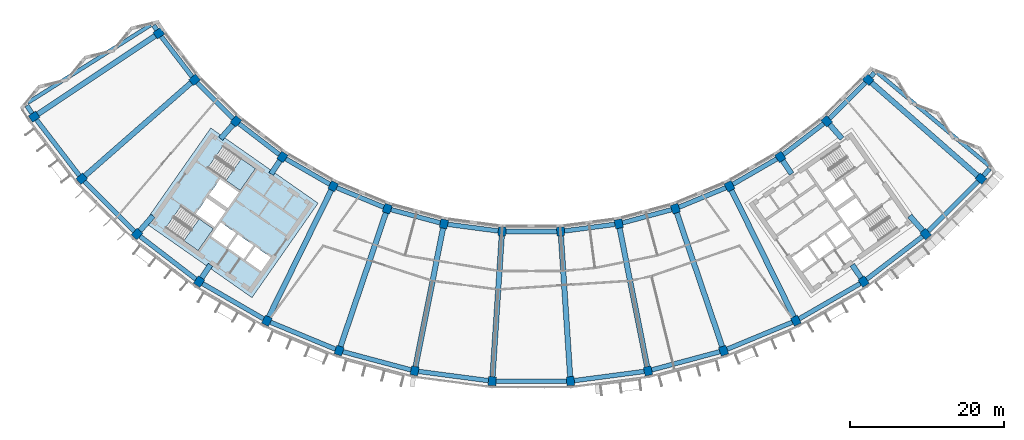
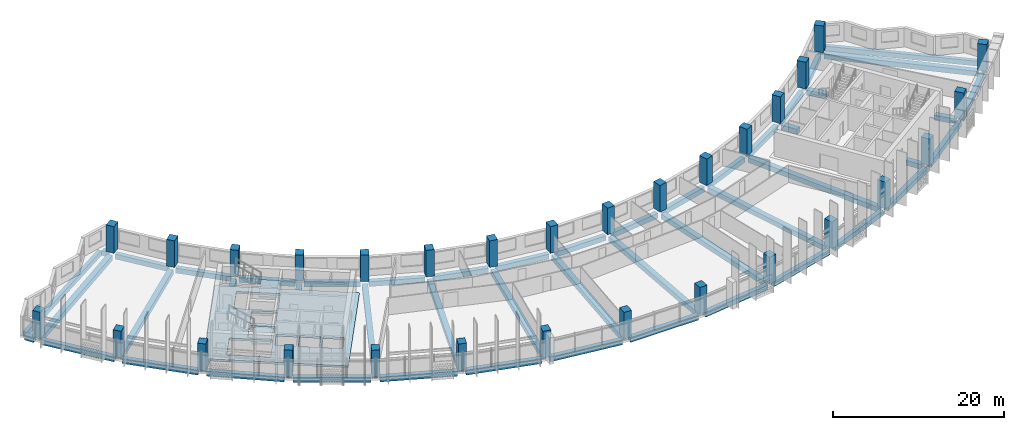
# One storey, part 1 of 27: 53 beams, 30 columns, 3 slabs, 2 elements without a shape of their own.
"""IFC4 building model written with IfcOpenShell, lengths in metres."""

from ifc_helpers import new_model, si_unit, direction, frame, origin, origin_2d, place, context, subcontext, project, spatial, polyline, rectangle, outline, extrude, material, layer, layer_set, material_profile, profile_set, type_object, element, aggregate, save


model = new_model("IFC4")

# Units and contexts
model_context = context("Model", 3, precision=1e-05, world=origin(), true_north=direction((0.0, 1.0)))
body_context = subcontext(model_context, "Body", "Model", "MODEL_VIEW")
ifc_project = project(units=[si_unit("LENGTHUNIT", "METRE"), si_unit("AREAUNIT", "SQUARE_METRE"), si_unit("VOLUMEUNIT", "CUBIC_METRE"), si_unit("PLANEANGLEUNIT", "RADIAN"), si_unit("MASSUNIT", "GRAM", prefix="KILO")], contexts=[model_context])

# Site, building, storey
site_placement = place(None, origin())
site = spatial("IfcSite", under=ifc_project, at=site_placement, CompositionType="ELEMENT")
building_placement = place(site_placement, origin())
building = spatial("IfcBuilding", under=site, at=building_placement, Name="Qamariyya Broadcast Tower", CompositionType="ELEMENT")
storey_placement = place(building_placement, frame((0.0, 0.0, 211.300048828125)))
storey = spatial("IfcBuildingStorey", under=building, at=storey_placement, Name="L50", CompositionType="ELEMENT", Elevation=211.300048828125)

# Columns
ifc_material_1 = material(Name="Concrete C60/75", Category="concrete")
ifc_material_profile_1 = material_profile(ifc_material_1, rectangle(XDim=1.0, YDim=1.14990234375, at=origin_2d()))
ifc_profile_set_1 = profile_set([ifc_material_profile_1], Name="Concrete C60/75")
column_type = type_object("IfcColumnType", Name="RC column 1000 x 1150 C60/75", PredefinedType="COLUMN", material=ifc_profile_set_1)
for number, where, z_axis, x_axis, name in (
    (1, (-48.43310546875, -32.362060546875, 0.0), (0.0, 0.0, 1.0), (0.55557023302, -0.831469612303, 0.0), "Column C11 L50 B-R03"),
    (2, (-64.646728515625, -43.195556640625, 0.0), (0.0, 0.0, 1.0), (0.55557023302, -0.831469612303, 0.0), "Column C11 L50 C-R03"),
    (3, (-43.794677734375, -38.406982421875, 0.0), (0.0, 0.0, 1.0), (0.6593458151, -0.751839807479, 0.0), "Column C11 L50 B-R04"),
    (4, (-58.45556640625, -51.26416015625, 0.0), (0.0, 0.0, 1.0), (0.6593458151, -0.751839807479, 0.0), "Column C11 L50 C-R04"),
    (5, (-38.406982421875, -43.794677734375, 0.0), (0.0, 0.0, 1.0), (0.751839807479, -0.6593458151, 0.0), "Column C11 L50 B-R05"),
    (6, (-51.26416015625, -58.45556640625, 0.0), (0.0, 0.0, 1.0), (0.751839807479, -0.6593458151, 0.0), "Column C11 L50 C-R05"),
    (7, (-32.362060546875, -48.43310546875, 0.0), (0.0, 0.0, 1.0), (0.831469612303, -0.55557023302, 0.0), "Column C11 L50 B-R06"),
    (8, (-43.195556640625, -64.646728515625, 0.0), (0.0, 0.0, 1.0), (0.831469612303, -0.55557023302, 0.0), "Column C11 L50 C-R06"),
    (9, (-25.763427734375, -52.242919921875, 0.0), (0.0, 0.0, 1.0), (0.896872741533, -0.442288690219, 0.0), "Column C11 L50 B-R07"),
    (10, (-34.387939453125, -69.73193359375, 0.0), (0.0, 0.0, 1.0), (0.896872741533, -0.442288690219, 0.0), "Column C11 L50 C-R07"),
    (11, (-18.723876953125, -55.15869140625, 0.0), (0.0, 0.0, 1.0), (0.946930129495, -0.321439465303, 0.0), "Column C11 L50 B-R08"),
    (12, (-24.991943359375, -73.623779296875, 0.0), (0.0, 0.0, 1.0), (0.946930129495, -0.321439465303, 0.0), "Column C11 L50 C-R08"),
    (13, (-11.364013671875, -57.130859375, 0.0), (0.0, 0.0, 1.0), (0.980785280403, -0.195090322016, 0.0), "Column C11 L50 B-R09"),
    (14, (-15.168212890625, -76.256103515625, 0.0), (0.0, 0.0, 1.0), (0.980785280403, -0.195090322016, 0.0), "Column C11 L50 C-R09"),
    (15, (-3.809814453125, -58.125244140625, 0.0), (0.0, 0.0, 1.0), (0.997858923239, -0.06540312923, 0.0), "Column C11 L50 B-R10"),
    (16, (-5.085205078125, -77.58349609375, 0.0), (0.0, 0.0, 1.0), (0.997858923239, -0.06540312923, 0.0), "Column C11 L50 C-R10"),
    (17, (3.809814453125, -58.125244140625, 0.0), (0.0, 0.0, 1.0), (0.997858923239, 0.06540312923, 0.0), "Column C11 L50 B-R11"),
    (18, (5.085205078125, -77.58349609375, 0.0), (0.0, 0.0, 1.0), (0.997858923239, 0.06540312923, 0.0), "Column C11 L50 C-R11"),
    (19, (11.364013671875, -57.130859375, 0.0), (0.0, 0.0, 1.0), (0.980785280403, 0.195090322016, 0.0), "Column C11 L50 B-R12"),
    (20, (15.168212890625, -76.256103515625, 0.0), (0.0, 0.0, 1.0), (0.980785280403, 0.195090322016, 0.0), "Column C11 L50 C-R12"),
    (21, (18.723876953125, -55.15869140625, 0.0), (0.0, 0.0, 1.0), (0.946930129495, 0.321439465303, 0.0), "Column C11 L50 B-R13"),
    (22, (24.991943359375, -73.623779296875, 0.0), (0.0, 0.0, 1.0), (0.946930129495, 0.321439465303, 0.0), "Column C11 L50 C-R13"),
    (23, (25.763427734375, -52.242919921875, 0.0), (0.0, 0.0, 1.0), (0.896872741533, 0.442288690219, 0.0), "Column C11 L50 B-R14"),
    (24, (34.387939453125, -69.73193359375, 0.0), (0.0, 0.0, 1.0), (0.896872741533, 0.442288690219, 0.0), "Column C11 L50 C-R14"),
    (25, (32.362060546875, -48.43310546875, 0.0), (0.0, 0.0, 1.0), (0.831469612303, 0.55557023302, 0.0), "Column C11 L50 B-R15"),
    (26, (43.195556640625, -64.646728515625, 0.0), (0.0, 0.0, 1.0), (0.831469612303, 0.55557023302, 0.0), "Column C11 L50 C-R15"),
    (27, (38.406982421875, -43.794677734375, 0.0), (0.0, 0.0, 1.0), (0.751839807479, 0.6593458151, 0.0), "Column C11 L50 B-R16"),
    (28, (51.26416015625, -58.45556640625, 0.0), (0.0, 0.0, 1.0), (0.751839807479, 0.6593458151, 0.0), "Column C11 L50 C-R16"),
    (29, (43.794677734375, -38.406982421875, 0.0), (0.0, 0.0, 1.0), (0.6593458151, 0.751839807479, 0.0), "Column C11 L50 B-R17"),
    (30, (58.45556640625, -51.26416015625, 0.0), (0.0, 0.0, 1.0), (0.6593458151, 0.751839807479, 0.0), "Column C11 L50 C-R17"),
):
    element("IfcColumn", number, at=place(storey_placement, frame(where, z_axis=z_axis, x_axis=x_axis)), inside=storey, type_object=column_type, Name=name, PredefinedType="COLUMN", context=body_context, shape_type="SweptSolid", body=[
        extrude(rectangle(XDim=1.0, YDim=1.14990234375, at=origin_2d()), origin(), (0.0, 0.0, 1.0), 3.800048828125),
    ])

# Beams
ifc_material_2 = material(Name="Concrete C40/50", Category="concrete")
ifc_material_profile_2 = material_profile(ifc_material_2, rectangle(XDim=0.60009765625, YDim=0.699951171875, at=origin_2d()))
ifc_profile_set_2 = profile_set([ifc_material_profile_2], Name="Concrete C40/50")
beam_type_1 = type_object("IfcBeamType", Name="RC edge beam 600 x 700 C40/50", PredefinedType="SPANDREL", material=ifc_profile_set_2)
for number, where, z_axis, x_axis, name in (
    (31, (-48.128173828125, -32.759521484375, -0.650146484375), (0.608788546151, -0.79333253184, 0.0), (0.79333253184, 0.608788546151, 0.0), "Edge beam B20 L50 B R03-R04"),
    (32, (-43.4404296875, -38.76123046875, -0.650146484375), (0.707106781187, -0.707106781187, 0.0), (0.707106781187, 0.707106781187, 0.0), "Edge beam B20 L50 B R04-R05"),
    (33, (-38.00927734375, -44.099609375, -0.650146484375), (0.79333253184, -0.608788546151, 0.0), (0.608788546151, 0.79333253184, 0.0), "Edge beam B20 L50 B R05-R06"),
):
    element("IfcBeam", number, at=place(storey_placement, frame(where, z_axis=z_axis, x_axis=x_axis)), inside=storey, type_object=beam_type_1, Name=name, PredefinedType="SPANDREL", context=body_context, shape_type="SweptSolid", body=[
        extrude(rectangle(XDim=0.60009765625, YDim=0.699951171875, at=origin_2d()), origin(), (0.0, 0.0, 1.0), 6.617431640625),
    ])
for number, where, z_axis, x_axis, name in (
    (34, (-31.927978515625, -48.68359375, -0.650146484375), (0.866027686223, -0.499996046679, 0.0), (0.499996046679, 0.866027686223, 0.0), "Edge beam B20 L50 B R06-R07"),
    (35, (-25.30029296875, -52.4345703125, -0.650146484375), (0.923870685948, -0.382704789159, 0.0), (0.382704789159, 0.923870685948, 0.0), "Edge beam B20 L50 B R07-R08"),
):
    element("IfcBeam", number, at=place(storey_placement, frame(where, z_axis=z_axis, x_axis=x_axis)), inside=storey, type_object=beam_type_1, Name=name, PredefinedType="SPANDREL", context=body_context, shape_type="SweptSolid", body=[
        extrude(rectangle(XDim=0.60009765625, YDim=0.699951171875, at=origin_2d()), origin(), (0.0, 0.0, 1.0), 6.6171875),
    ])
for number, where, z_axis, x_axis, name in (
    (36, (-18.23974609375, -55.288330078125, -0.650146484375), (0.965927466282, -0.258812924486, 0.0), (0.258812924486, 0.965927466282, 0.0), "Edge beam B20 L50 B R08-R09"),
    (37, (-10.8671875, -57.196044921875, -0.650146484375), (0.991444372314, -0.130529906942, 0.0), (0.130529906942, 0.991444372314, 0.0), "Edge beam B20 L50 B R09-R10"),
):
    element("IfcBeam", number, at=place(storey_placement, frame(where, z_axis=z_axis, x_axis=x_axis)), inside=storey, type_object=beam_type_1, Name=name, PredefinedType="SPANDREL", context=body_context, shape_type="SweptSolid", body=[
        extrude(rectangle(XDim=0.60009765625, YDim=0.699951171875, at=origin_2d()), origin(), (0.0, 0.0, 1.0), 6.617431640625),
    ])
beam_1_placement = place(storey_placement, frame((-3.30859375, -58.125244140625, -0.650146484375), z_axis=(1.0, 0.0, 0.0), x_axis=(0.0, 1.0, 0.0)))
element("IfcBeam", 38, at=beam_1_placement, inside=storey, type_object=beam_type_1, Name="Edge beam B20 L50 B R10-R11", PredefinedType="SPANDREL", context=body_context, shape_type="SweptSolid", body=[
    extrude(rectangle(XDim=0.60009765625, YDim=0.699951171875, at=origin_2d()), origin(), (0.0, 0.0, 1.0), 6.6171875),
])
for number, where, z_axis, x_axis, name in (
    (39, (4.306396484375, -58.059814453125, -0.650146484375), (0.991444372314, 0.130529906942, 0.0), (-0.130529906942, 0.991444372314, 0.0), "Edge beam B20 L50 B R11-R12"),
    (40, (11.847900390625, -57.0009765625, -0.650146484375), (0.965927466282, 0.258812924486, 0.0), (-0.258812924486, 0.965927466282, 0.0), "Edge beam B20 L50 B R12-R13"),
):
    element("IfcBeam", number, at=place(storey_placement, frame(where, z_axis=z_axis, x_axis=x_axis)), inside=storey, type_object=beam_type_1, Name=name, PredefinedType="SPANDREL", context=body_context, shape_type="SweptSolid", body=[
        extrude(rectangle(XDim=0.60009765625, YDim=0.699951171875, at=origin_2d()), origin(), (0.0, 0.0, 1.0), 6.617431640625),
    ])
for number, where, z_axis, x_axis, name in (
    (41, (19.186767578125, -54.967041015625, -0.650146484375), (0.923870685948, 0.382704789159, 0.0), (-0.382704789159, 0.923870685948, 0.0), "Edge beam B20 L50 B R13-R14"),
    (42, (26.197265625, -51.9921875, -0.650146484375), (0.866027686223, 0.499996046679, 0.0), (-0.499996046679, 0.866027686223, 0.0), "Edge beam B20 L50 B R14-R15"),
):
    element("IfcBeam", number, at=place(storey_placement, frame(where, z_axis=z_axis, x_axis=x_axis)), inside=storey, type_object=beam_type_1, Name=name, PredefinedType="SPANDREL", context=body_context, shape_type="SweptSolid", body=[
        extrude(rectangle(XDim=0.60009765625, YDim=0.699951171875, at=origin_2d()), origin(), (0.0, 0.0, 1.0), 6.6171875),
    ])
for number, where, z_axis, x_axis, name in (
    (43, (32.759521484375, -48.128173828125, -0.650146484375), (0.79333253184, 0.608788546151, 0.0), (-0.608788546151, 0.79333253184, 0.0), "Edge beam B20 L50 B R15-R16"),
    (44, (38.76123046875, -43.4404296875, -0.650146484375), (0.707106781187, 0.707106781187, 0.0), (-0.707106781187, 0.707106781187, 0.0), "Edge beam B20 L50 B R16-R17"),
):
    element("IfcBeam", number, at=place(storey_placement, frame(where, z_axis=z_axis, x_axis=x_axis)), inside=storey, type_object=beam_type_1, Name=name, PredefinedType="SPANDREL", context=body_context, shape_type="SweptSolid", body=[
        extrude(rectangle(XDim=0.60009765625, YDim=0.699951171875, at=origin_2d()), origin(), (0.0, 0.0, 1.0), 6.617431640625),
    ])
for number, where, z_axis, x_axis, name in (
    (45, (-64.341796875, -43.593017578125, -0.650146484375), (0.608761882331, -0.793352992445, 0.0), (0.793352992445, 0.608761882331, 0.0), "Edge beam B20 L50 C R03-R04"),
    (46, (-58.101318359375, -51.618408203125, -0.650146484375), (0.707106781187, -0.707106781187, 0.0), (0.707106781187, 0.707106781187, 0.0), "Edge beam B20 L50 C R04-R05"),
    (47, (-50.86669921875, -58.760498046875, -0.650146484375), (0.793352992445, -0.608761882331, 0.0), (0.608761882331, 0.793352992445, 0.0), "Edge beam B20 L50 C R05-R06"),
    (48, (-42.76171875, -64.897216796875, -0.650146484375), (0.866032154434, -0.49998830735, 0.0), (0.49998830735, 0.866032154434, 0.0), "Edge beam B20 L50 C R06-R07"),
    (49, (-33.925048828125, -69.923583984375, -0.650146484375), (0.923876946533, -0.382689675409, 0.0), (0.382689675409, 0.923876946533, 0.0), "Edge beam B20 L50 C R07-R08"),
):
    element("IfcBeam", number, at=place(storey_placement, frame(where, z_axis=z_axis, x_axis=x_axis)), inside=storey, type_object=beam_type_1, Name=name, PredefinedType="SPANDREL", context=body_context, shape_type="SweptSolid", body=[
        extrude(rectangle(XDim=0.60009765625, YDim=0.699951171875, at=origin_2d()), origin(), (0.0, 0.0, 1.0), 9.168212890625),
    ])
for number, where, z_axis, x_axis, name in (
    (50, (-24.5078125, -73.75341796875, -0.650146484375), (0.965919522093, -0.258842571536, 0.0), (0.258842571536, 0.965919522093, 0.0), "Edge beam B20 L50 C R08-R09"),
    (51, (-14.67138671875, -76.321533203125, -0.650146484375), (0.991446770895, -0.130511687147, 0.0), (0.130511687147, 0.991446770895, 0.0), "Edge beam B20 L50 C R09-R10"),
    (52, (-4.583984375, -77.58349609375, -0.650146484375), (1.0, 0.0, 0.0), (0.0, 1.0, 0.0), "Edge beam B20 L50 C R10-R11"),
    (53, (5.581787109375, -77.51806640625, -0.650146484375), (0.991446770895, 0.130511687147, 0.0), (-0.130511687147, 0.991446770895, 0.0), "Edge beam B20 L50 C R11-R12"),
    (54, (15.65234375, -76.12646484375, -0.650146484375), (0.965919522093, 0.258842571536, 0.0), (-0.258842571536, 0.965919522093, 0.0), "Edge beam B20 L50 C R12-R13"),
):
    element("IfcBeam", number, at=place(storey_placement, frame(where, z_axis=z_axis, x_axis=x_axis)), inside=storey, type_object=beam_type_1, Name=name, PredefinedType="SPANDREL", context=body_context, shape_type="SweptSolid", body=[
        extrude(rectangle(XDim=0.60009765625, YDim=0.699951171875, at=origin_2d()), origin(), (0.0, 0.0, 1.0), 9.16796875),
    ])
for number, where, z_axis, x_axis, name in (
    (55, (25.454833984375, -73.43212890625, -0.650146484375), (0.923876946533, 0.382689675409, 0.0), (-0.382689675409, 0.923876946533, 0.0), "Edge beam B20 L50 C R13-R14"),
    (56, (34.82177734375, -69.481201171875, -0.650146484375), (0.866032154434, 0.49998830735, 0.0), (-0.49998830735, 0.866032154434, 0.0), "Edge beam B20 L50 C R14-R15"),
    (57, (43.593017578125, -64.341796875, -0.650146484375), (0.793352992445, 0.608761882331, 0.0), (-0.608761882331, 0.793352992445, 0.0), "Edge beam B20 L50 C R15-R16"),
    (58, (51.618408203125, -58.101318359375, -0.650146484375), (0.707106781187, 0.707106781187, 0.0), (-0.707106781187, 0.707106781187, 0.0), "Edge beam B20 L50 C R16-R17"),
):
    element("IfcBeam", number, at=place(storey_placement, frame(where, z_axis=z_axis, x_axis=x_axis)), inside=storey, type_object=beam_type_1, Name=name, PredefinedType="SPANDREL", context=body_context, shape_type="SweptSolid", body=[
        extrude(rectangle(XDim=0.60009765625, YDim=0.699951171875, at=origin_2d()), origin(), (0.0, 0.0, 1.0), 9.168212890625),
    ])
ifc_material_profile_3 = material_profile(ifc_material_2, rectangle(XDim=0.60009765625, YDim=0.699951171875, at=origin_2d()))
ifc_profile_set_3 = profile_set([ifc_material_profile_3], Name="Concrete C40/50")
beam_type_2 = type_object("IfcBeamType", Name="RC horn beam 600 x 700 C40/50", PredefinedType="BEAM", material=ifc_profile_set_3)
beam_2_placement = place(storey_placement, frame((-48.70556640625, -31.942626953125, -0.650146484375), z_axis=(-0.545130013682, 0.838351518269, 0.0), x_axis=(-0.838351518269, -0.545130013682, 0.0)))
element("IfcBeam", 59, at=beam_2_placement, inside=storey, type_object=beam_type_2, Name="Horn beam B19 L50 W B-R03", PredefinedType="BEAM", context=body_context, shape_type="SweptSolid", body=[
    extrude(rectangle(XDim=0.60009765625, YDim=0.699951171875, at=origin_2d()), origin(), (0.0, 0.0, 1.0), 0.726806640625),
])
beam_3_placement = place(storey_placement, frame((-64.919189453125, -42.7763671875, -0.650146484375), z_axis=(-0.545114816016, 0.838361400209, 0.0), x_axis=(-0.838361400209, -0.545114816016, 0.0)))
element("IfcBeam", 60, at=beam_3_placement, inside=storey, type_object=beam_type_2, Name="Horn beam B19 L50 W C-R03", PredefinedType="BEAM", context=body_context, shape_type="SweptSolid", body=[
    extrude(rectangle(XDim=0.60009765625, YDim=0.699951171875, at=origin_2d()), origin(), (0.0, 0.0, 1.0), 1.221435546875),
])
beam_4_placement = place(storey_placement, frame((44.11962890625, -38.02685546875, -0.650146484375), z_axis=(0.649684097017, 0.760204297596, 0.0), x_axis=(-0.760204297596, 0.649684097017, 0.0)))
element("IfcBeam", 61, at=beam_4_placement, inside=storey, type_object=beam_type_2, Name="Horn beam B19 L50 E B-R17", PredefinedType="BEAM", context=body_context, shape_type="SweptSolid", body=[
    extrude(rectangle(XDim=0.60009765625, YDim=0.699951171875, at=origin_2d()), origin(), (0.0, 0.0, 1.0), 0.726806640625),
])
beam_5_placement = place(storey_placement, frame((58.780517578125, -50.884033203125, -0.650146484375), z_axis=(0.649671232602, 0.760215291565, 0.0), x_axis=(-0.760215291565, 0.649671232602, 0.0)))
element("IfcBeam", 62, at=beam_5_placement, inside=storey, type_object=beam_type_2, Name="Horn beam B19 L50 E C-R17", PredefinedType="BEAM", context=body_context, shape_type="SweptSolid", body=[
    extrude(rectangle(XDim=0.60009765625, YDim=0.699951171875, at=origin_2d()), origin(), (0.0, 0.0, 1.0), 1.221435546875),
])
ifc_material_profile_4 = material_profile(ifc_material_2, rectangle(XDim=0.5, YDim=0.699951171875, at=origin_2d()))
ifc_profile_set_4 = profile_set([ifc_material_profile_4], Name="Concrete C40/50")
beam_type_3 = type_object("IfcBeamType", Name="RC horn cap beam 500 x 700 C40/50", PredefinedType="BEAM", material=ifc_profile_set_4)
for number, where, z_axis, x_axis, name in (
    (63, (-49.49169921875, -31.283935546875, -0.650146484375), (-0.845288403382, -0.534310317238, 0.0), (0.534310317238, -0.845288403382, 0.0), "Horn cap beam B21 L50 W B-C"),
    (64, (44.98486328125, -37.476318359375, -0.650146484375), (0.768310212712, -0.640077664852, 0.0), (0.640077664852, 0.768310212712, 0.0), "Horn cap beam B21 L50 E B-C"),
):
    element("IfcBeam", number, at=place(storey_placement, frame(where, z_axis=z_axis, x_axis=x_axis)), inside=storey, type_object=beam_type_3, Name=name, PredefinedType="BEAM", context=body_context, shape_type="SweptSolid", body=[
        extrude(rectangle(XDim=0.5, YDim=0.699951171875, at=origin_2d()), origin(), (0.0, 0.0, 1.0), 18.89990234375),
    ])
ifc_material_profile_5 = material_profile(ifc_material_2, rectangle(XDim=0.699951171875, YDim=0.699951171875, at=origin_2d()))
ifc_profile_set_5 = profile_set([ifc_material_profile_5], Name="Concrete C40/50")
beam_type_4 = type_object("IfcBeamType", Name="RC radial beam 700 x 700 C40/50", PredefinedType="BEAM", material=ifc_profile_set_5)
beam_6_placement = place(storey_placement, frame((-48.9111328125, -32.681396484375, -0.650146484375), z_axis=(-0.831468530479, -0.55557185208, 0.0), x_axis=(0.55557185208, -0.831468530479, 0.0)))
element("IfcBeam", 65, at=beam_6_placement, inside=storey, type_object=beam_type_4, Name="Radial beam B18 L50 R03 B-C", PredefinedType="BEAM", context=body_context, shape_type="SweptSolid", body=[
    extrude(rectangle(XDim=0.699951171875, YDim=0.699951171875, at=origin_2d()), origin(), (0.0, 0.0, 1.0), 18.35009765625),
])
beam_7_placement = place(storey_placement, frame((-44.22705078125, -38.7861328125, -0.650146484375), z_axis=(-0.751840222646, -0.659345341692, 0.0), x_axis=(0.659345341692, -0.751840222646, 0.0)))
element("IfcBeam", 66, at=beam_7_placement, inside=storey, type_object=beam_type_4, Name="Radial beam B18 L50 R04 B-C", PredefinedType="BEAM", context=body_context, shape_type="SweptSolid", body=[
    extrude(rectangle(XDim=0.699951171875, YDim=0.699951171875, at=origin_2d()), origin(), (0.0, 0.0, 1.0), 18.349853515625),
])
beam_8_placement = place(storey_placement, frame((-38.7861328125, -44.22705078125, -0.650146484375), z_axis=(-0.659347500472, -0.751838329444, 0.0), x_axis=(0.751838329444, -0.659347500472, 0.0)))
element("IfcBeam", 67, at=beam_8_placement, inside=storey, type_object=beam_type_4, Name="Radial beam B18 L50 R05 B-C", PredefinedType="BEAM", context=body_context, shape_type="SweptSolid", body=[
    extrude(rectangle(XDim=0.699951171875, YDim=0.699951171875, at=origin_2d()), origin(), (0.0, 0.0, 1.0), 2.43896484375),
])
beam_9_placement = place(storey_placement, frame((-49.1943359375, -56.095458984375, -0.650146484375), z_axis=(-0.65936701245, -0.751821217373, 0.0), x_axis=(0.751821217373, -0.65936701245, 0.0)))
element("IfcBeam", 68, at=beam_9_placement, inside=storey, type_object=beam_type_4, Name="Radial beam B18 L50 R05 B-C", PredefinedType="BEAM", context=body_context, shape_type="SweptSolid", body=[
    extrude(rectangle(XDim=0.699951171875, YDim=0.699951171875, at=origin_2d()), origin(), (0.0, 0.0, 1.0), 2.56396484375),
])
beam_10_placement = place(storey_placement, frame((-32.681396484375, -48.9111328125, -0.650146484375), z_axis=(-0.555589685374, -0.831456614326, 0.0), x_axis=(0.831456614326, -0.555589685374, 0.0)))
element("IfcBeam", 69, at=beam_10_placement, inside=storey, type_object=beam_type_4, Name="Radial beam B18 L50 R06 B-C", PredefinedType="BEAM", context=body_context, shape_type="SweptSolid", body=[
    extrude(rectangle(XDim=0.699951171875, YDim=0.699951171875, at=origin_2d()), origin(), (0.0, 0.0, 1.0), 2.08935546875),
])
beam_11_placement = place(storey_placement, frame((-41.733154296875, -62.458251953125, -0.650146484375), z_axis=(-0.555630982199, -0.831429017788, 0.0), x_axis=(0.831429017788, -0.555630982199, 0.0)))
element("IfcBeam", 70, at=beam_11_placement, inside=storey, type_object=beam_type_4, Name="Radial beam B18 L50 R06 B-C", PredefinedType="BEAM", context=body_context, shape_type="SweptSolid", body=[
    extrude(rectangle(XDim=0.699951171875, YDim=0.699951171875, at=origin_2d()), origin(), (0.0, 0.0, 1.0), 2.05712890625),
])
beam_12_placement = place(storey_placement, frame((-26.017578125, -52.758544921875, -0.650146484375), z_axis=(-0.442289405452, -0.896872388819, 0.0), x_axis=(0.896872388819, -0.442289405452, 0.0)))
element("IfcBeam", 71, at=beam_12_placement, inside=storey, type_object=beam_type_4, Name="Radial beam B18 L50 R07 B-C", PredefinedType="BEAM", context=body_context, shape_type="SweptSolid", body=[
    extrude(rectangle(XDim=0.699951171875, YDim=0.699951171875, at=origin_2d()), origin(), (0.0, 0.0, 1.0), 18.349853515625),
])
for number, where, z_axis, x_axis, name in (
    (72, (-18.90869140625, -55.703125, -0.650146484375), (-0.321439728167, -0.946930040265, 0.0), (0.946930040265, -0.321439728167, 0.0), "Radial beam B18 L50 R08 B-C"),
    (73, (-11.47607421875, -57.694580078125, -0.650146484375), (-0.195097720648, -0.980783808695, 0.0), (0.980783808695, -0.195097720648, 0.0), "Radial beam B18 L50 R09 B-C"),
    (74, (-3.847412109375, -58.698974609375, -0.650146484375), (-0.065405444204, -0.997858771505, 0.0), (0.997858771505, -0.065405444204, 0.0), "Radial beam B18 L50 R10 B-C"),
    (75, (3.847412109375, -58.698974609375, -0.650146484375), (0.065405444204, -0.997858771505, 0.0), (0.997858771505, 0.065405444204, 0.0), "Radial beam B18 L50 R11 B-C"),
    (76, (11.47607421875, -57.694580078125, -0.650146484375), (0.195097720648, -0.980783808695, 0.0), (0.980783808695, 0.195097720648, 0.0), "Radial beam B18 L50 R12 B-C"),
    (77, (18.90869140625, -55.703125, -0.650146484375), (0.321439728167, -0.946930040265, 0.0), (0.946930040265, 0.321439728167, 0.0), "Radial beam B18 L50 R13 B-C"),
):
    element("IfcBeam", number, at=place(storey_placement, frame(where, z_axis=z_axis, x_axis=x_axis)), inside=storey, type_object=beam_type_4, Name=name, PredefinedType="BEAM", context=body_context, shape_type="SweptSolid", body=[
        extrude(rectangle(XDim=0.699951171875, YDim=0.699951171875, at=origin_2d()), origin(), (0.0, 0.0, 1.0), 18.35009765625),
    ])
beam_13_placement = place(storey_placement, frame((26.017578125, -52.758544921875, -0.650146484375), z_axis=(0.442289405452, -0.896872388819, 0.0), x_axis=(0.896872388819, 0.442289405452, 0.0)))
element("IfcBeam", 78, at=beam_13_placement, inside=storey, type_object=beam_type_4, Name="Radial beam B18 L50 R14 B-C", PredefinedType="BEAM", context=body_context, shape_type="SweptSolid", body=[
    extrude(rectangle(XDim=0.699951171875, YDim=0.699951171875, at=origin_2d()), origin(), (0.0, 0.0, 1.0), 18.349853515625),
])
beam_14_placement = place(storey_placement, frame((32.681396484375, -48.9111328125, -0.650146484375), z_axis=(0.555589685374, -0.831456614326, 0.0), x_axis=(0.831456614326, 0.555589685374, 0.0)))
element("IfcBeam", 79, at=beam_14_placement, inside=storey, type_object=beam_type_4, Name="Radial beam B18 L50 R15 B-C", PredefinedType="BEAM", context=body_context, shape_type="SweptSolid", body=[
    extrude(rectangle(XDim=0.699951171875, YDim=0.699951171875, at=origin_2d()), origin(), (0.0, 0.0, 1.0), 2.08935546875),
])
beam_15_placement = place(storey_placement, frame((41.733154296875, -62.458251953125, -0.650146484375), z_axis=(0.555630982199, -0.831429017788, 0.0), x_axis=(0.831429017788, 0.555630982199, 0.0)))
element("IfcBeam", 80, at=beam_15_placement, inside=storey, type_object=beam_type_4, Name="Radial beam B18 L50 R15 B-C", PredefinedType="BEAM", context=body_context, shape_type="SweptSolid", body=[
    extrude(rectangle(XDim=0.699951171875, YDim=0.699951171875, at=origin_2d()), origin(), (0.0, 0.0, 1.0), 2.05712890625),
])
beam_16_placement = place(storey_placement, frame((38.7861328125, -44.22705078125, -0.650146484375), z_axis=(0.659347500472, -0.751838329444, 0.0), x_axis=(0.751838329444, 0.659347500472, 0.0)))
element("IfcBeam", 81, at=beam_16_placement, inside=storey, type_object=beam_type_4, Name="Radial beam B18 L50 R16 B-C", PredefinedType="BEAM", context=body_context, shape_type="SweptSolid", body=[
    extrude(rectangle(XDim=0.699951171875, YDim=0.699951171875, at=origin_2d()), origin(), (0.0, 0.0, 1.0), 2.43896484375),
])
beam_17_placement = place(storey_placement, frame((49.1943359375, -56.095458984375, -0.650146484375), z_axis=(0.65936701245, -0.751821217373, 0.0), x_axis=(0.751821217373, 0.65936701245, 0.0)))
element("IfcBeam", 82, at=beam_17_placement, inside=storey, type_object=beam_type_4, Name="Radial beam B18 L50 R16 B-C", PredefinedType="BEAM", context=body_context, shape_type="SweptSolid", body=[
    extrude(rectangle(XDim=0.699951171875, YDim=0.699951171875, at=origin_2d()), origin(), (0.0, 0.0, 1.0), 2.56396484375),
])
beam_18_placement = place(storey_placement, frame((44.22705078125, -38.7861328125, -0.650146484375), z_axis=(0.751840222646, -0.659345341692, 0.0), x_axis=(0.659345341692, 0.751840222646, 0.0)))
element("IfcBeam", 83, at=beam_18_placement, inside=storey, type_object=beam_type_4, Name="Radial beam B18 L50 R17 B-C", PredefinedType="BEAM", context=body_context, shape_type="SweptSolid", body=[
    extrude(rectangle(XDim=0.699951171875, YDim=0.699951171875, at=origin_2d()), origin(), (0.0, 0.0, 1.0), 18.349853515625),
])

# Slab
ifc_layer_1 = layer(ifc_material_2, 0.300048828125)
ifc_layer_set_1 = layer_set([ifc_layer_1], Name="Core floor slab 300 mm Concrete C40/50")
slab_type_1 = type_object("IfcSlabType", Name="Core floor slab 300 mm Concrete C40/50", PredefinedType="FLOOR", material=ifc_layer_set_1)
slab_1_placement = place(storey_placement, frame((0.0, 0.0, -0.300048828125)))
element("IfcSlab", 84, at=slab_1_placement, inside=storey, type_object=slab_type_1, Name="k-W-L50-slab", PredefinedType="FLOOR", context=body_context, shape_type="SweptSolid", body=[
    extrude(outline(polyline([(-50.286376953125, -56.95751953125), (-36.32373046875, -66.734375), (-27.719970703125, -54.447021484375), (-41.6826171875, -44.67041015625), (-50.286376953125, -56.95751953125)]), holes=[polyline([(-33.87353515625, -61.49169921875), (-35.88037109375, -60.08642578125), (-37.142333984375, -61.888427734375), (-35.13525390625, -63.293701171875), (-33.87353515625, -61.49169921875)]), polyline([(-36.126220703125, -59.914306640625), (-38.133056640625, -58.509033203125), (-39.394775390625, -60.311279296875), (-37.387939453125, -61.716552734375), (-36.126220703125, -59.914306640625)]), polyline([(-38.378662109375, -58.3369140625), (-40.3857421875, -56.931640625), (-41.6474609375, -58.73388671875), (-39.640625, -60.13916015625), (-38.378662109375, -58.3369140625)]), polyline([(-39.742431640625, -55.489990234375), (-42.199951171875, -53.769287109375), (-43.6337890625, -55.817138671875), (-41.17626953125, -57.537841796875), (-39.742431640625, -55.489990234375)]), polyline([(-39.45556640625, -55.080322265625), (-41.9130859375, -53.359619140625), (-40.47900390625, -51.311767578125), (-38.021728515625, -53.032470703125), (-39.45556640625, -55.080322265625)]), polyline([(-42.06103515625, -49.837890625), (-37.849609375, -52.78662109375), (-35.870849609375, -49.960693359375), (-40.082275390625, -47.01171875), (-42.06103515625, -49.837890625)]), polyline([(-47.538818359375, -57.66064453125), (-43.3271484375, -60.609619140625), (-41.348388671875, -57.783447265625), (-45.559814453125, -54.834716796875), (-47.538818359375, -57.66064453125)])]), origin(), (0.0, 0.0, 1.0), 0.300048828125),
])

# Stair, slab
ifc_material_3 = material(Name="Concrete C50/60", Category="concrete")
stair_type = type_object("IfcStairType", Name="Exit stair 22 risers of 173 mm", PredefinedType="HALF_TURN_STAIR", material=ifc_material_3)
stair_1_placement = place(storey_placement, origin())
stair_1 = element("IfcStair", 85, at=stair_1_placement, inside=storey, type_object=stair_type, Name="L50 Stair W2", PredefinedType="HALF_TURN_STAIR")
ifc_layer_2 = layer(ifc_material_3, 0.199951171875)
ifc_layer_set_2 = layer_set([ifc_layer_2], Name="Stair landing")
slab_type_2 = type_object("IfcSlabType", Name="Stair landing", PredefinedType="LANDING", material=ifc_layer_set_2)
slab_2_placement = place(storey_placement, frame((0.0, 0.0, 1.699951171875)))
slab_2 = element("IfcSlab", 86, at=slab_2_placement, type_object=slab_type_2, Name="ST-W2 landing 1", PredefinedType="LANDING", context=body_context, shape_type="SweptSolid", body=[
    extrude(outline(polyline([(-39.692138671875, -51.49658203125), (-37.849609375, -52.78662109375), (-35.870849609375, -49.960693359375), (-37.71337890625, -48.67041015625), (-39.692138671875, -51.49658203125)])), origin(), (0.0, 0.0, 1.0), 0.199951171875),
])
aggregate(stair_1, [slab_2])

stair_2_placement = place(storey_placement, origin())
stair_2 = element("IfcStair", 87, at=stair_2_placement, inside=storey, type_object=stair_type, Name="L50 Stair W1", PredefinedType="HALF_TURN_STAIR")
slab_3_placement = place(storey_placement, frame((0.0, 0.0, 1.699951171875)))
slab_3 = element("IfcSlab", 88, at=slab_3_placement, type_object=slab_type_2, Name="ST-W1 landing 1", PredefinedType="LANDING", context=body_context, shape_type="SweptSolid", body=[
    extrude(outline(polyline([(-45.169677734375, -59.319580078125), (-43.3271484375, -60.609619140625), (-41.348388671875, -57.783447265625), (-43.19091796875, -56.493408203125), (-45.169677734375, -59.319580078125)])), origin(), (0.0, 0.0, 1.0), 0.199951171875),
])
aggregate(stair_2, [slab_3])

save(model, "model.ifc")
